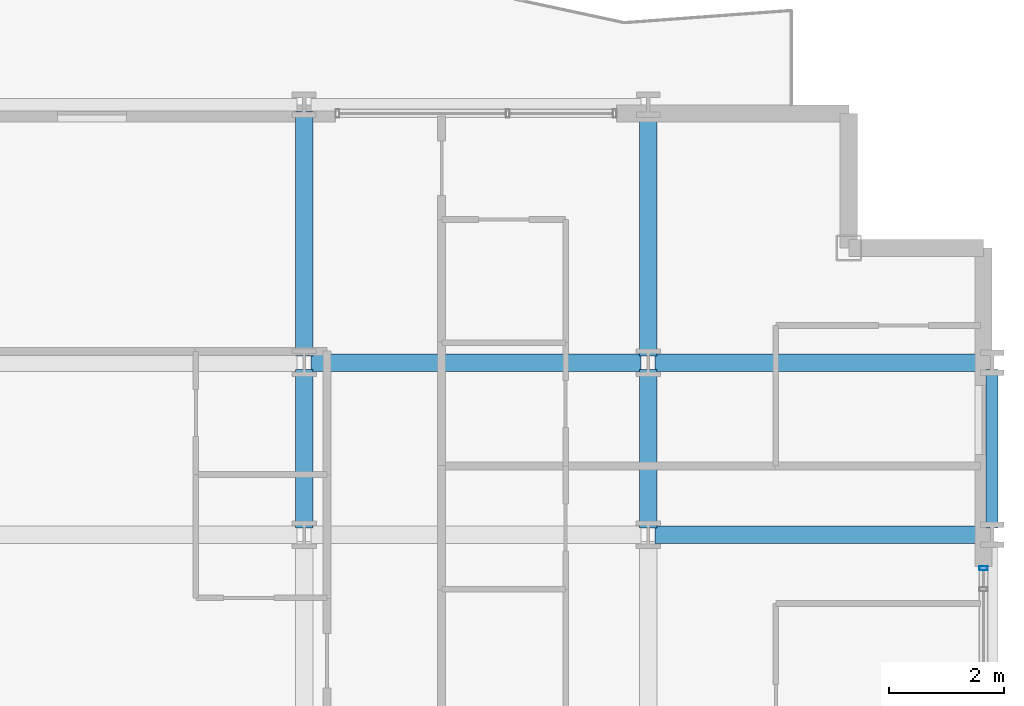
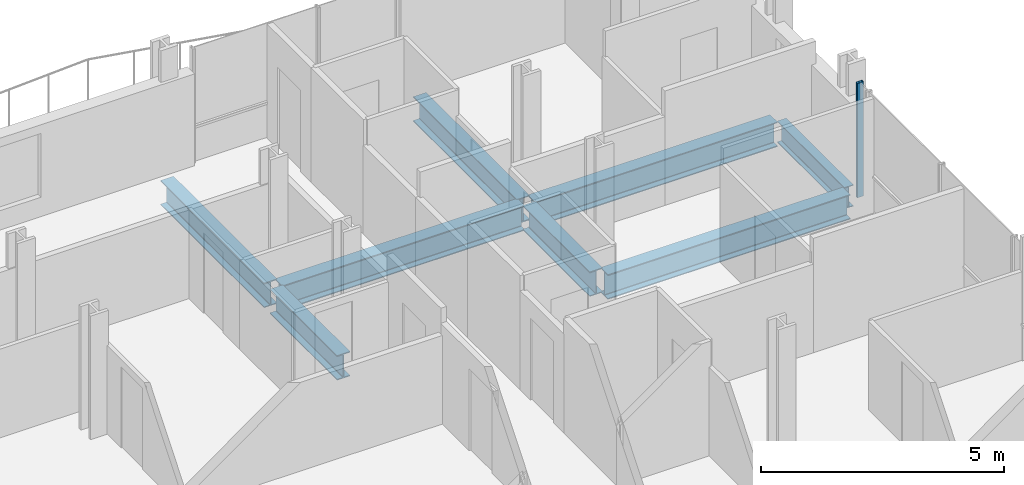
# One storey, part 20 of 40: 8 beams, 1 member, 1 element without a shape of its own.
"""IFC4 building model written with IfcOpenShell, lengths in metres."""

from ifc_helpers import new_model, si_unit, direction, frame, origin, origin_2d, place, context, subcontext, project, spatial, hollow_rectangle, i_section, extrude, material, layer, layer_set, material_profile, profile_set, type_object, element, aggregate, save


model = new_model("IFC4")

# Units and contexts
model_context = context("Model", 3, precision=1e-05, world=origin(), true_north=direction((0.0, 1.0)))
body_context = subcontext(model_context, "Body", "Model", "MODEL_VIEW")
ifc_project = project(units=[si_unit("LENGTHUNIT", "METRE"), si_unit("AREAUNIT", "SQUARE_METRE"), si_unit("VOLUMEUNIT", "CUBIC_METRE"), si_unit("PLANEANGLEUNIT", "RADIAN"), si_unit("MASSUNIT", "GRAM", prefix="KILO")], contexts=[model_context])

# Site, building, storey
site_placement = place(None, origin())
site = spatial("IfcSite", under=ifc_project, at=site_placement, CompositionType="ELEMENT")
building_placement = place(site_placement, origin())
building = spatial("IfcBuilding", under=site, at=building_placement, Name="Brevholm Reach", CompositionType="ELEMENT")
storey_placement = place(building_placement, frame((0.0, 0.0, 37.300048828125)))
storey = spatial("IfcBuildingStorey", under=building, at=storey_placement, Name="L09", CompositionType="ELEMENT", Elevation=37.300048828125)

# Beams
ifc_material_1 = material(Name="Structural Steel S355J2", Category="steel")
ifc_material_profile_1 = material_profile(ifc_material_1, i_section(OverallWidth=0.210693359375, OverallDepth=0.53955078125, WebThickness=0.01171875, FlangeThickness=0.018798828125, FilletRadius=0.0126953125, at=origin_2d()), Name="UKB 533x210x109")
ifc_profile_set_1 = profile_set([ifc_material_profile_1], Name="Structural Steel S355J2")
beam_type_1 = type_object("IfcBeamType", Name="BM-SP539", PredefinedType="SPANDREL", material=ifc_profile_set_1)
beam_1_placement = place(storey_placement, frame((60.0, 23.6201171875, -0.499755859375), z_axis=(0.0, 1.0, 0.0), x_axis=(-1.0, 0.0, 0.0)))
element("IfcBeam", 1, at=beam_1_placement, inside=storey, type_object=beam_type_1, Name="L09 SP-01B Framing Beam", PredefinedType="SPANDREL", context=body_context, shape_type="SweptSolid", body=[
    extrude(i_section(OverallWidth=0.210693359375, OverallDepth=0.53955078125, WebThickness=0.01171875, FlangeThickness=0.018798828125, FilletRadius=0.0126953125, at=origin_2d()), origin(), (0.0, 0.0, 1.0), 2.759765625),
])
ifc_material_2 = material(Name="Structural Steel S355J2", Category="steel")
ifc_material_profile_2 = material_profile(ifc_material_2, i_section(OverallWidth=0.30712890625, OverallDepth=0.6201171875, WebThickness=0.01416015625, FlangeThickness=0.023681640625, FilletRadius=0.0166015625, at=origin_2d()), Name="UKB 610x305x179")
ifc_profile_set_2 = profile_set([ifc_material_profile_2], Name="Structural Steel S355J2")
beam_type_2 = type_object("IfcBeamType", Name="BM-UKB610H", PredefinedType="USERDEFINED", material=ifc_profile_set_2)
for number, where, z_axis, x_axis, name in (
    (2, (54.1201171875, 23.5, -0.5400390625), (1.0, 0.0, 0.0), (0.0, 1.0, 0.0), "L09 G-06 Framing Beam"),
    (3, (48.1201171875, 26.5, -0.5400390625), (1.0, 0.0, 0.0), (0.0, 1.0, 0.0), "L09 G-06 Framing Beam"),
    (4, (54.1201171875, 26.5, -0.5400390625), (1.0, 0.0, 0.0), (0.0, 1.0, 0.0), "L09 G-06 Framing Beam"),
):
    element("IfcBeam", number, at=place(storey_placement, frame(where, z_axis=z_axis, x_axis=x_axis)), inside=storey, type_object=beam_type_2, Name=name, ObjectType="GIRDER", PredefinedType="USERDEFINED", context=body_context, shape_type="SweptSolid", body=[
        extrude(i_section(OverallWidth=0.30712890625, OverallDepth=0.6201171875, WebThickness=0.01416015625, FlangeThickness=0.023681640625, FilletRadius=0.0166015625, at=origin_2d()), origin(), (0.0, 0.0, 1.0), 5.759765625),
    ])
beam_2_placement = place(storey_placement, frame((48.0, 23.6201171875, -0.5400390625), z_axis=(0.0, 1.0, 0.0), x_axis=(-1.0, 0.0, 0.0)))
element("IfcBeam", 5, at=beam_2_placement, inside=storey, type_object=beam_type_2, Name="L09 G-06 Framing Beam", ObjectType="GIRDER", PredefinedType="USERDEFINED", context=body_context, shape_type="SweptSolid", body=[
    extrude(i_section(OverallWidth=0.30712890625, OverallDepth=0.6201171875, WebThickness=0.01416015625, FlangeThickness=0.023681640625, FilletRadius=0.0166015625, at=origin_2d()), origin(), (0.0, 0.0, 1.0), 2.759765625),
])
beam_3_placement = place(storey_placement, frame((48.0, 26.6201171875, -0.5400390625), z_axis=(0.0, 1.0, 0.0), x_axis=(-1.0, 0.0, 0.0)))
element("IfcBeam", 6, at=beam_3_placement, inside=storey, type_object=beam_type_2, Name="L09 G-06 Framing Beam", ObjectType="GIRDER", PredefinedType="USERDEFINED", context=body_context, shape_type="SweptSolid", body=[
    extrude(i_section(OverallWidth=0.30712890625, OverallDepth=0.6201171875, WebThickness=0.01416015625, FlangeThickness=0.023681640625, FilletRadius=0.0166015625, at=origin_2d()), origin(), (0.0, 0.0, 1.0), 4.259765625),
])
beam_4_placement = place(storey_placement, frame((54.0, 23.6201171875, -0.5400390625), z_axis=(0.0, 1.0, 0.0), x_axis=(-1.0, 0.0, 0.0)))
element("IfcBeam", 7, at=beam_4_placement, inside=storey, type_object=beam_type_2, Name="L09 G-06 Framing Beam", ObjectType="GIRDER", PredefinedType="USERDEFINED", context=body_context, shape_type="SweptSolid", body=[
    extrude(i_section(OverallWidth=0.30712890625, OverallDepth=0.6201171875, WebThickness=0.01416015625, FlangeThickness=0.023681640625, FilletRadius=0.0166015625, at=origin_2d()), origin(), (0.0, 0.0, 1.0), 2.759765625),
])
beam_5_placement = place(storey_placement, frame((54.0, 26.6201171875, -0.5400390625), z_axis=(0.0, 1.0, 0.0), x_axis=(-1.0, 0.0, 0.0)))
element("IfcBeam", 8, at=beam_5_placement, inside=storey, type_object=beam_type_2, Name="L09 G-06 Framing Beam", ObjectType="GIRDER", PredefinedType="USERDEFINED", context=body_context, shape_type="SweptSolid", body=[
    extrude(i_section(OverallWidth=0.30712890625, OverallDepth=0.6201171875, WebThickness=0.01416015625, FlangeThickness=0.023681640625, FilletRadius=0.0166015625, at=origin_2d()), origin(), (0.0, 0.0, 1.0), 4.259765625),
])

# Curtain wall, member
ifc_material_3 = material(Name="Dark Anodised Aluminium 6063-T6 and Solar-Control Glass", Category="aluminium")
ifc_layer = layer(ifc_material_3, 0.14990234375)
ifc_layer_set = layer_set([ifc_layer], Name="Dark Anodised Aluminium 6063-T6 and Solar-Control Glass")
curtain_wall_type = type_object("IfcCurtainWallType", Name="CW-01", PredefinedType="NOTDEFINED", material=ifc_layer_set)
curtain_wall_placement = place(storey_placement, origin())
curtain_wall = element("IfcCurtainWall", 9, at=curtain_wall_placement, inside=storey, type_object=curtain_wall_type, Name="L09 Curtain Wall CW-01", PredefinedType="NOTDEFINED")
ifc_material_4 = material(Name="Dark Anodised Aluminium 6063-T6", Category="aluminium")
ifc_material_profile_3 = material_profile(ifc_material_4, hollow_rectangle(XDim=0.06494140625, YDim=0.14990234375, WallThickness=0.0048828125, InnerFilletRadius=0.0048828125, OuterFilletRadius=0.010009765625, at=origin_2d()), Name="RHS 150x65x5")
ifc_profile_set_3 = profile_set([ifc_material_profile_3], Name="Dark Anodised Aluminium 6063-T6")
member_type = type_object("IfcMemberType", Name="CWM-150", PredefinedType="MULLION", material=ifc_profile_set_3)
member_placement = place(storey_placement, frame((59.85009765625, 22.91748046875, 0.0), z_axis=(0.0, 0.0, 1.0), x_axis=(0.0, 1.0, 0.0)))
member = element("IfcMember", 10, at=member_placement, type_object=member_type, Name="CM-150 Mullion 6", PredefinedType="MULLION", context=body_context, shape_type="SweptSolid", body=[
    extrude(hollow_rectangle(XDim=0.06494140625, YDim=0.14990234375, WallThickness=0.0048828125, InnerFilletRadius=0.0048828125, OuterFilletRadius=0.010009765625, at=origin_2d()), origin(), (0.0, 0.0, 1.0), 2.869873046875),
])
aggregate(curtain_wall, [member])

save(model, "model.ifc")
